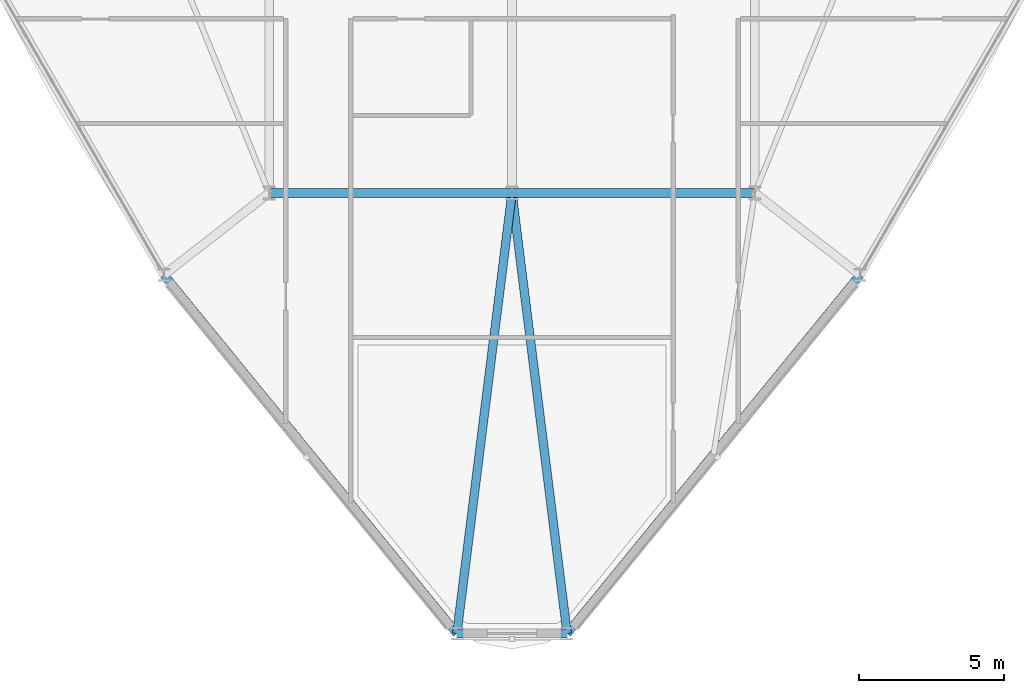
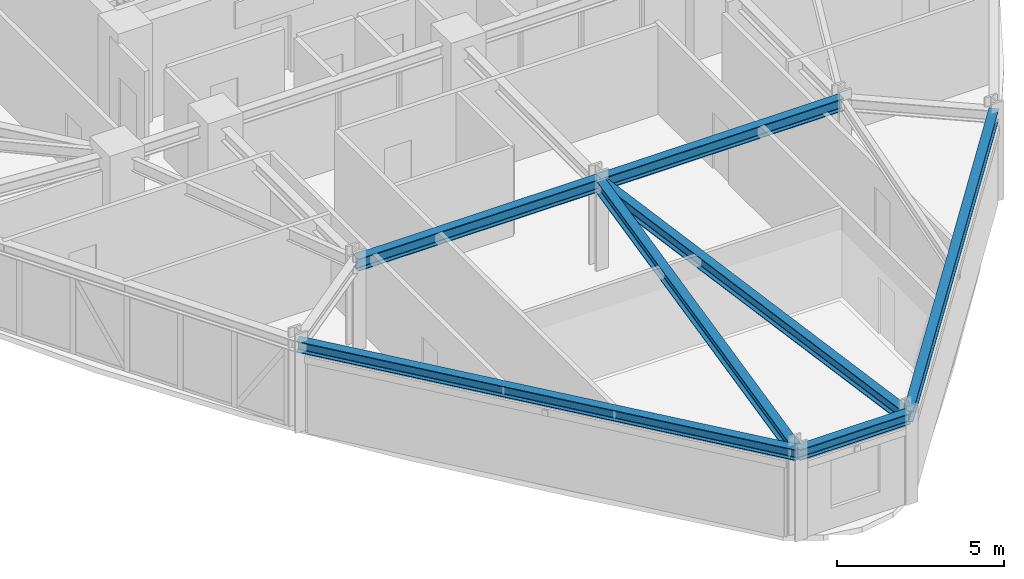
# One storey, part 3 of 17: 7 beams.
"""IFC4 building model written with IfcOpenShell, lengths in metres."""

from ifc_helpers import new_model, si_unit, derived_unit, direction, frame, origin, origin_2d, place, context, subcontext, project, spatial, i_section, extrude, source, transform, mapped, material, material_profile, profile_set, type_object, element, save


model = new_model("IFC4")

# Units and contexts
model_context = context("Model", 3, precision=1e-05, world=origin(), true_north=direction((0.0, 1.0)))
body_context = subcontext(model_context, "Body", "Model", "MODEL_VIEW")
ifc_project = project(units=[si_unit("LENGTHUNIT", "METRE"), si_unit("AREAUNIT", "SQUARE_METRE"), si_unit("VOLUMEUNIT", "CUBIC_METRE"), si_unit("PLANEANGLEUNIT", "RADIAN"), si_unit("MASSUNIT", "GRAM", prefix="KILO"), derived_unit("THERMALTRANSMITTANCEUNIT", [(si_unit("POWERUNIT", "WATT"), 1), (si_unit("LENGTHUNIT", "METRE"), -2), (si_unit("THERMODYNAMICTEMPERATUREUNIT", "KELVIN"), -1)])], contexts=[model_context])

# Site, building, storey
site_placement = place(None, origin())
site = spatial("IfcSite", under=ifc_project, at=site_placement, CompositionType="ELEMENT")
building_placement = place(site_placement, origin())
building = spatial("IfcBuilding", under=site, at=building_placement, Name="Korsvarv Bourse and Concert Hall", CompositionType="ELEMENT")
storey_placement = place(building_placement, frame((0.0, 0.0, 127.800048828125)))
storey = spatial("IfcBuildingStorey", under=building, at=storey_placement, Name="L32", CompositionType="ELEMENT", Elevation=127.800048828125)

# Beams
ifc_material = material(Name="Steel S355", Category="steel")
ifc_material_profile_1 = material_profile(ifc_material, i_section(OverallWidth=0.300048828125, OverallDepth=0.449951171875, WebThickness=0.013916015625, FlangeThickness=0.02587890625, FilletRadius=0.02099609375, at=origin_2d()), Name="HEB 450")
ifc_profile_set_1 = profile_set([ifc_material_profile_1], Name="Steel S355")
beam_type_1 = type_object("IfcBeamType", Name="BM-HEB450", PredefinedType="SPANDREL", material=ifc_profile_set_1)
shared_shape_1 = source(origin(), body_context, "Body", "SweptSolid", [
    extrude(i_section(OverallWidth=0.300048828125, OverallDepth=0.449951171875, WebThickness=0.013916015625, FlangeThickness=0.02587890625, FilletRadius=0.02099609375, at=origin_2d()), origin(), (0.0, 0.0, 1.0), 8.39990234375),
])
for number, where, z_axis, x_axis, name in (
    (1, (27.60009765625, 24.0, 3.034912109375), (1.0, 0.0, 0.0), (0.0, 1.0, 0.0), "L32 beam B-08"),
    (2, (36.0, 24.0, 3.034912109375), (1.0, 0.0, 0.0), (0.0, 1.0, 0.0), "L32 beam B-08"),
):
    element("IfcBeam", number, at=place(storey_placement, frame(where, z_axis=z_axis, x_axis=x_axis)), inside=storey, type_object=beam_type_1, Name=name, PredefinedType="SPANDREL", context=body_context, shape_type="MappedRepresentation", body=[
        mapped(shared_shape_1, transform((0.0, 0.0, 0.0), scale=1.0)),
    ])
ifc_material_profile_2 = material_profile(ifc_material, i_section(OverallWidth=0.300048828125, OverallDepth=0.39990234375, WebThickness=0.013427734375, FlangeThickness=0.02392578125, FilletRadius=0.02099609375, at=origin_2d()), Name="HEB 400")
ifc_profile_set_2 = profile_set([ifc_material_profile_2], Name="Steel S355")
beam_type_2 = type_object("IfcBeamType", Name="BM-HEB400", PredefinedType="SPANDREL", material=ifc_profile_set_2)
shared_shape_2 = source(origin(), body_context, "Body", "SweptSolid", [
    extrude(i_section(OverallWidth=0.300048828125, OverallDepth=0.39990234375, WebThickness=0.013427734375, FlangeThickness=0.02392578125, FilletRadius=0.02099609375, at=origin_2d()), origin(), (0.0, 0.0, 1.0), 3.81591796875),
])
beam_placement = place(storey_placement, frame((34.092041015625, 8.76318359375, 3.06005859375), z_axis=(1.0, 0.0, 0.0), x_axis=(0.0, 1.0, 0.0)))
element("IfcBeam", 3, at=beam_placement, inside=storey, type_object=beam_type_2, Name="L32 beam B-09", PredefinedType="SPANDREL", context=body_context, shape_type="MappedRepresentation", body=[
    mapped(shared_shape_2, transform((0.0, 0.0, 0.0), scale=1.0)),
])
shared_shape_3 = source(origin(), body_context, "Body", "SweptSolid", [
    extrude(i_section(OverallWidth=0.300048828125, OverallDepth=0.39990234375, WebThickness=0.013427734375, FlangeThickness=0.02392578125, FilletRadius=0.02099609375, at=origin_2d()), origin(), (0.0, 0.0, 1.0), 16.0146484375),
])
for number, where, z_axis, x_axis, name in (
    (4, (23.96240234375, 21.167236328125, 3.06005859375), (0.632521919704, -0.774542459194, 0.0), (0.774542459194, 0.632521919704, 0.0), "L32 beam B-09"),
    (5, (37.907958984375, 8.76318359375, 3.06005859375), (0.632521919704, 0.774542459194, 0.0), (-0.774542459194, 0.632521919704, 0.0), "L32 beam B-09"),
):
    element("IfcBeam", number, at=place(storey_placement, frame(where, z_axis=z_axis, x_axis=x_axis)), inside=storey, type_object=beam_type_2, Name=name, PredefinedType="SPANDREL", context=body_context, shape_type="MappedRepresentation", body=[
        mapped(shared_shape_3, transform((0.0, 0.0, 0.0), scale=1.0)),
    ])
shared_shape_4 = source(origin(), body_context, "Body", "SweptSolid", [
    extrude(i_section(OverallWidth=0.300048828125, OverallDepth=0.449951171875, WebThickness=0.013916015625, FlangeThickness=0.02587890625, FilletRadius=0.02099609375, at=origin_2d()), origin(), (0.0, 0.0, 1.0), 15.355712890625),
])
for number, where, z_axis, x_axis, name in (
    (6, (34.092041015625, 8.76318359375, 3.034912109375), (0.124249978447, 0.992250947521, 0.0), (-0.992250947521, 0.124249978447, 0.0), "L32 beam B-08"),
    (7, (37.907958984375, 8.76318359375, 3.034912109375), (-0.124249978447, 0.992250947521, 0.0), (-0.992250947521, -0.124249978447, 0.0), "L32 beam B-08"),
):
    element("IfcBeam", number, at=place(storey_placement, frame(where, z_axis=z_axis, x_axis=x_axis)), inside=storey, type_object=beam_type_1, Name=name, PredefinedType="SPANDREL", context=body_context, shape_type="MappedRepresentation", body=[
        mapped(shared_shape_4, transform((0.0, 0.0, 0.0), scale=1.0)),
    ])

save(model, "model.ifc")
